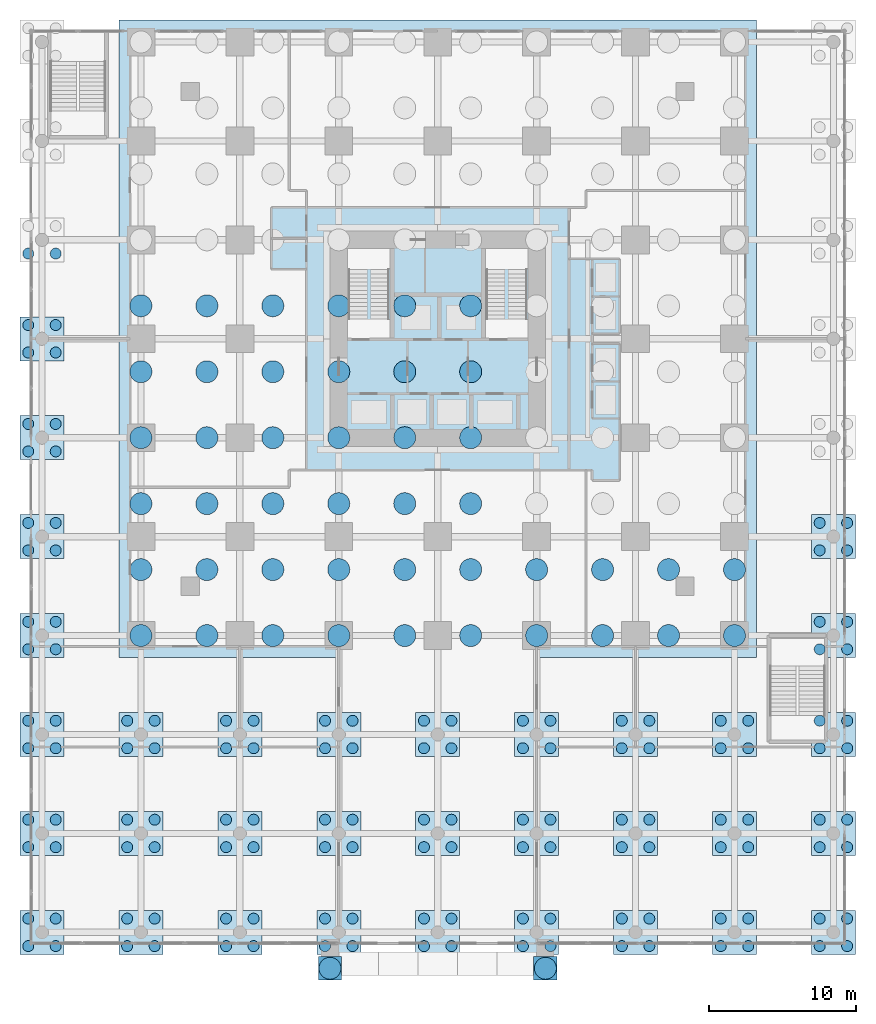
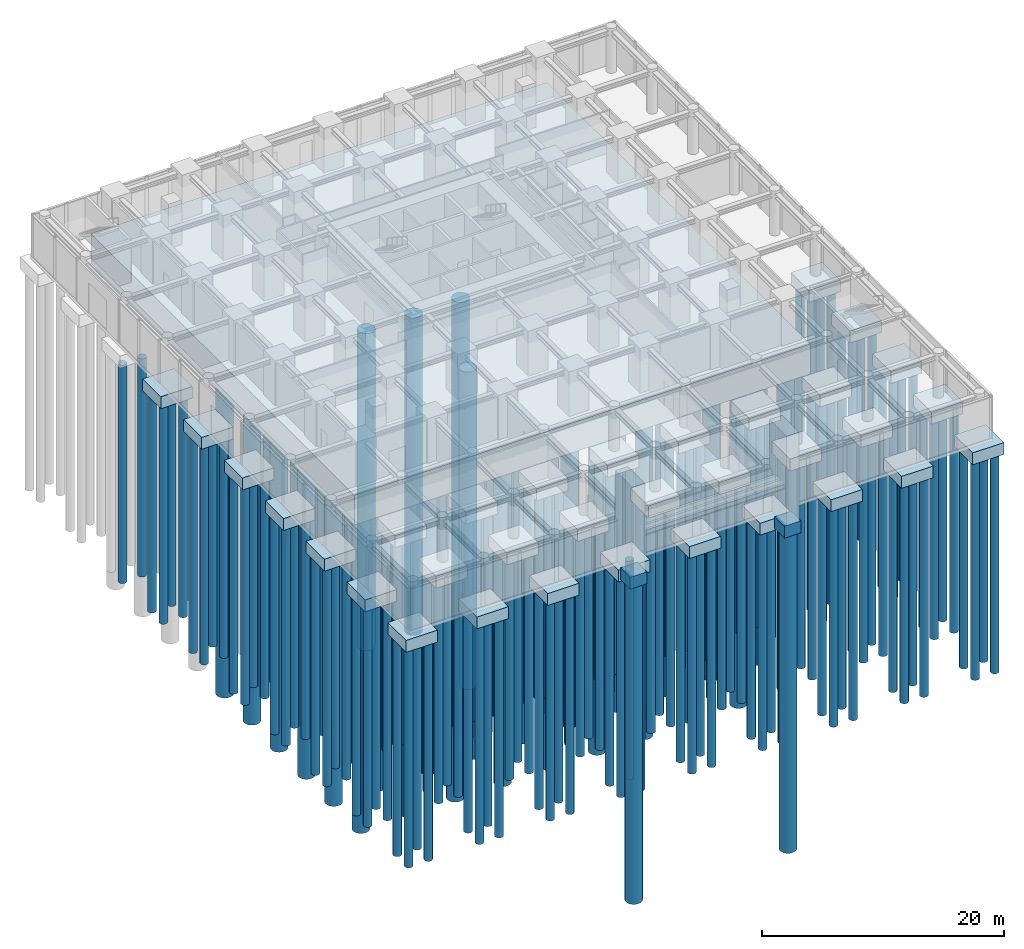
# One storey, part 1 of 14: 180 piles, 36 footings.
"""IFC4 building model written with IfcOpenShell, lengths in metres."""

import ifcopenshell
import ifcopenshell.guid

model = None  # the IFC model being written
_history = None  # IfcOwnerHistory: only IFC2X3 demands one
_inside = {}  # id of a spatial element -> (the spatial element, [elements in it])
_under = {}  # id of a project, library or spatial element -> (it, [spatial elements below it])
_declared = {}  # id of a project -> (the project, [libraries it declares])
_typed = {}  # id of a type object -> (the type object, [elements of that type])
_made_of = {}  # id of a material, layer set ... -> (it, [elements and type objects made of it])


def new_model(schema):
    """Start an empty IFC model of exactly this schema.

    Asked for "IFC4X3", IfcOpenShell would pick the latest addendum, in which some entities
    have other attributes; the version numbers below select the first issue.
    IFC2X3 requires an IfcOwnerHistory on every rooted entity: one is made here for all.
    """
    global model, _history
    if schema == "IFC4X3":
        model = ifcopenshell.file(schema_version=(4, 3, 0, 0))
    else:
        model = ifcopenshell.file(schema=schema)
    _inside.clear()
    _under.clear()
    _declared.clear()
    _typed.clear()
    _made_of.clear()
    _history = None
    if model.schema == "IFC2X3":
        org = make("IfcOrganization", Name="unknown")
        user = make(
            "IfcPersonAndOrganization",
            ThePerson=make("IfcPerson", FamilyName="unknown"),
            TheOrganization=org,
        )
        app = make(
            "IfcApplication",
            ApplicationDeveloper=org,
            Version="unknown",
            ApplicationFullName="unknown",
            ApplicationIdentifier="unknown",
        )
        _history = make(
            "IfcOwnerHistory",
            OwningUser=user,
            OwningApplication=app,
            ChangeAction="ADDED",
            CreationDate=0,
        )
    return model


def make(cls, **values):
    """One entity of the class cls with the attributes given. An attribute that is None is left unset."""
    return model.create_entity(
        cls, **{name: value for name, value in values.items() if value is not None}
    )


def rooted(cls, **values):
    """An entity with a GlobalId (a new one), such as an element, a storey or a relation."""
    return make(cls, GlobalId=ifcopenshell.guid.new(), OwnerHistory=_history, **values)


def si_unit(unit_type, name, prefix=None):
    """IfcSIUnit, for example si_unit("LENGTHUNIT", "METRE", prefix="MILLI")."""
    return make("IfcSIUnit", UnitType=unit_type, Prefix=prefix, Name=name)


def assignment(units):
    """IfcUnitAssignment: the units of a project."""
    return None if units is None else make("IfcUnitAssignment", Units=units)


def point(xyz):
    """IfcCartesianPoint."""
    return None if xyz is None else make("IfcCartesianPoint", Coordinates=xyz)


def direction(xyz):
    """IfcDirection."""
    return None if xyz is None else make("IfcDirection", DirectionRatios=xyz)


def frame(location, z_axis=None, x_axis=None):
    """IfcAxis2Placement3D, a coordinate frame: its origin and axes. An axis left out is left unset."""
    return make(
        "IfcAxis2Placement3D",
        Location=point(location),
        Axis=direction(z_axis),
        RefDirection=direction(x_axis),
    )


def frame_2d(location, x_axis=None):
    """IfcAxis2Placement2D, a coordinate frame in the plane: its origin and x axis."""
    return make(
        "IfcAxis2Placement2D", Location=point(location), RefDirection=direction(x_axis)
    )


def origin():
    """The frame at (0, 0, 0) with its axes left unset."""
    return frame((0.0, 0.0, 0.0))


def origin_2d():
    """The frame at (0, 0) in the plane with its x axis left unset."""
    return frame_2d((0.0, 0.0))


def place(relative_to, where):
    """IfcLocalPlacement: puts the frame where relative to a parent placement (None: the world)."""
    return make(
        "IfcLocalPlacement", PlacementRelTo=relative_to, RelativePlacement=where
    )


def context(
    kind, dimensions, precision=None, world=None, true_north=None, identifier=None
):
    """IfcGeometricRepresentationContext, for example the 3D "Model" context."""
    return make(
        "IfcGeometricRepresentationContext",
        ContextIdentifier=identifier,
        ContextType=kind,
        CoordinateSpaceDimension=dimensions,
        Precision=precision,
        WorldCoordinateSystem=world,
        TrueNorth=true_north,
    )


def subcontext(parent, identifier, kind, view, scale=None):
    """IfcGeometricRepresentationSubContext, for example "Body" below "Model"."""
    return make(
        "IfcGeometricRepresentationSubContext",
        ContextIdentifier=identifier,
        ContextType=kind,
        ParentContext=parent,
        TargetScale=scale,
        TargetView=view,
    )


def project(units=None, contexts=None):
    """IfcProject with its units and contexts."""
    return rooted(
        "IfcProject",
        Name="project",
        RepresentationContexts=contexts,
        UnitsInContext=assignment(units),
    )


def spatial(cls, under=None, at=None, **own):
    """A site, building, storey or space (cls), placed at a placement, below another one or the project."""
    s = rooted(cls, ObjectPlacement=at, **own)
    if under is not None:
        _under.setdefault(under.id(), (under, []))[1].append(s)
    return s


def polyline(points):
    """IfcPolyline through the points."""
    return make("IfcPolyline", Points=[point(p) for p in points])


def profile(cls, at=None, kind="AREA", **sizes):
    """A parametric profile (cls). Its sizes go by their IFC names, for example OverallWidth=200.0."""
    return make(cls, ProfileType=kind, Position=at, **sizes)


def circle(**sizes):
    """IfcCircleProfileDef."""
    return profile("IfcCircleProfileDef", **sizes)


def outline(outer, holes=None, kind="AREA"):
    """IfcArbitraryClosedProfileDef: a profile drawn as a closed curve; with holes, ...WithVoids."""
    if holes is None:
        return make("IfcArbitraryClosedProfileDef", ProfileType=kind, OuterCurve=outer)
    return make(
        "IfcArbitraryProfileDefWithVoids",
        ProfileType=kind,
        OuterCurve=outer,
        InnerCurves=holes,
    )


def extrude(swept, where, along, depth):
    """IfcExtrudedAreaSolid: the profile swept, set in the frame where, extruded along a direction by depth."""
    return make(
        "IfcExtrudedAreaSolid",
        SweptArea=swept,
        Position=where,
        ExtrudedDirection=direction(along),
        Depth=depth,
    )


def shape(context_of_items, identifier, shape_type, items):
    """IfcShapeRepresentation: the items that make up one representation, for example the "Body"."""
    return make(
        "IfcShapeRepresentation",
        ContextOfItems=context_of_items,
        RepresentationIdentifier=identifier,
        RepresentationType=shape_type,
        Items=items,
    )


def material(Name=None, Category=None):
    """IfcMaterial."""
    return make("IfcMaterial", Name=Name, Category=Category)


def layer(
    of_material, thickness, ventilated=None, Name=None, Category=None, Priority=None
):
    """IfcMaterialLayer: one layer of a wall or slab, of a material (None: an air gap)."""
    return make(
        "IfcMaterialLayer",
        Material=of_material,
        LayerThickness=thickness,
        IsVentilated=ventilated,
        Name=Name,
        Category=Category,
        Priority=Priority,
    )


def layer_set(layers, Name=None):
    """IfcMaterialLayerSet."""
    return make("IfcMaterialLayerSet", MaterialLayers=layers, LayerSetName=Name)


def made_of(thing, what):
    """Note that an element or type object is made of a material, layer set ...; save() writes the relation."""
    if what is not None:
        _made_of.setdefault(what.id(), (what, []))[1].append(thing)
    return thing


def type_object(cls, material=None, **own):
    """A type object (cls), such as IfcWallType, which elements share."""
    return made_of(rooted(cls, **own), material)


def element(
    cls,
    number,
    at=None,
    inside=None,
    cuts=None,
    type_object=None,
    material=None,
    context=None,
    identifier="Body",
    shape_type=None,
    held_by="IfcProductDefinitionShape",
    body=None,
    shapes=None,
    **own,
):
    """One element of the class cls, such as IfcWall. Its Tag is "e" and its number.

    at: its placement. inside: the storey or other place that contains it. cuts: it is an
    opening in that element (IfcRelVoidsElement). A single representation is given by context,
    identifier, shape_type and body (its items); several are given by shapes. held_by: the class
    of the entity that holds the representations. save() writes the other relations.
    """
    e = rooted(cls, Tag="e%d" % number, ObjectPlacement=at, **own)
    if body is not None:
        shapes = [shape(context, identifier, shape_type, body)]
    if shapes is not None:
        e.Representation = make(held_by, Representations=shapes)
    if inside is not None:
        _inside.setdefault(inside.id(), (inside, []))[1].append(e)
    if cuts is not None:
        rooted(
            "IfcRelVoidsElement", RelatingBuildingElement=cuts, RelatedOpeningElement=e
        )
    if type_object is not None:
        _typed.setdefault(type_object.id(), (type_object, []))[1].append(e)
    return made_of(e, material)


def aggregate(whole, parts):
    """IfcRelAggregates: a whole, such as a stair, and the parts it consists of."""
    return rooted("IfcRelAggregates", RelatingObject=whole, RelatedObjects=parts)


def save(model, path):
    """Write the relations noted so far, then the file.

    IfcRelAggregates (storeys below a building ...), IfcRelContainedInSpatialStructure (elements
    in a storey), IfcRelDefinesByType, IfcRelAssociatesMaterial and IfcRelDeclares: one each for
    every whole, place, type object, material and project.
    """
    for whole, parts in _under.values():
        aggregate(whole, parts)
    for where, things in _inside.values():
        rooted(
            "IfcRelContainedInSpatialStructure",
            RelatedElements=things,
            RelatingStructure=where,
        )
    for kind, things in _typed.values():
        rooted("IfcRelDefinesByType", RelatedObjects=things, RelatingType=kind)
    for what, things in _made_of.values():
        rooted("IfcRelAssociatesMaterial", RelatedObjects=things, RelatingMaterial=what)
    for by, libraries in _declared.values():
        rooted("IfcRelDeclares", RelatingContext=by, RelatedDefinitions=libraries)
    model.write(path)


model = new_model("IFC4")

# Units and contexts
model_context = context("Model", 3, precision=1e-05, world=origin(), true_north=direction((0.0, 1.0)))
body_context = subcontext(model_context, "Body", "Model", "MODEL_VIEW")
ifc_project = project(units=[si_unit("LENGTHUNIT", "METRE"), si_unit("AREAUNIT", "SQUARE_METRE"), si_unit("VOLUMEUNIT", "CUBIC_METRE"), si_unit("PLANEANGLEUNIT", "RADIAN"), si_unit("MASSUNIT", "GRAM", prefix="KILO")], contexts=[model_context])

# Site, building, storey
site_placement = place(None, origin())
site = spatial("IfcSite", under=ifc_project, at=site_placement, CompositionType="ELEMENT")
building_placement = place(site_placement, origin())
building = spatial("IfcBuilding", under=site, at=building_placement, Name="Nyansa Garden Tower", CompositionType="ELEMENT")
storey_placement = place(building_placement, origin())
storey = spatial("IfcBuildingStorey", under=building, at=storey_placement, Name="L00", CompositionType="ELEMENT", Elevation=0.0)

# Piles
ifc_material_1 = material(Name="Concrete C40/50", Category="concrete")
pile_type_1 = type_object("IfcPileType", Name="Bored pile P1 D1500", PredefinedType="BORED", material=ifc_material_1)
for number, where, z_axis, x_axis, name in (
    (1, (0.0, 0.0, -3.300048828125), (0.0, 0.0, -1.0), (1.0, 0.0, 0.0), "Pile P1-001"),
    (2, (0.0, 4.5, -3.300048828125), (0.0, 0.0, -1.0), (1.0, 0.0, 0.0), "Pile P1-002"),
    (3, (0.0, 9.0, -3.300048828125), (0.0, 0.0, -1.0), (1.0, 0.0, 0.0), "Pile P1-003"),
    (4, (0.0, 13.5, -3.300048828125), (0.0, 0.0, -1.0), (1.0, 0.0, 0.0), "Pile P1-004"),
    (5, (0.0, 18.0, -3.300048828125), (0.0, 0.0, -1.0), (1.0, 0.0, 0.0), "Pile P1-005"),
    (6, (0.0, 22.5, -3.300048828125), (0.0, 0.0, -1.0), (1.0, 0.0, 0.0), "Pile P1-006"),
    (7, (4.5, 0.0, -3.300048828125), (0.0, 0.0, -1.0), (1.0, 0.0, 0.0), "Pile P1-011"),
    (8, (4.5, 4.5, -3.300048828125), (0.0, 0.0, -1.0), (1.0, 0.0, 0.0), "Pile P1-012"),
    (9, (4.5, 9.0, -3.300048828125), (0.0, 0.0, -1.0), (1.0, 0.0, 0.0), "Pile P1-013"),
    (10, (4.5, 13.5, -3.300048828125), (0.0, 0.0, -1.0), (1.0, 0.0, 0.0), "Pile P1-014"),
    (11, (4.5, 18.0, -3.300048828125), (0.0, 0.0, -1.0), (1.0, 0.0, 0.0), "Pile P1-015"),
    (12, (4.5, 22.5, -3.300048828125), (0.0, 0.0, -1.0), (1.0, 0.0, 0.0), "Pile P1-016"),
    (13, (9.0, 0.0, -3.300048828125), (0.0, 0.0, -1.0), (1.0, 0.0, 0.0), "Pile P1-021"),
    (14, (9.0, 4.5, -3.300048828125), (0.0, 0.0, -1.0), (1.0, 0.0, 0.0), "Pile P1-022"),
    (15, (9.0, 9.0, -3.300048828125), (0.0, 0.0, -1.0), (1.0, 0.0, 0.0), "Pile P1-023"),
    (16, (9.0, 13.5, -3.300048828125), (0.0, 0.0, -1.0), (1.0, 0.0, 0.0), "Pile P1-024"),
    (17, (9.0, 18.0, -3.300048828125), (0.0, 0.0, -1.0), (1.0, 0.0, 0.0), "Pile P1-025"),
    (18, (9.0, 22.5, -3.300048828125), (0.0, 0.0, -1.0), (1.0, 0.0, 0.0), "Pile P1-026"),
    (19, (13.5, 0.0, -3.300048828125), (0.0, 0.0, -1.0), (1.0, 0.0, 0.0), "Pile P1-031"),
    (20, (13.5, 4.5, -3.300048828125), (0.0, 0.0, -1.0), (1.0, 0.0, 0.0), "Pile P1-032"),
    (21, (13.5, 9.0, -3.300048828125), (0.0, 0.0, -1.0), (1.0, 0.0, 0.0), "Pile P1-033"),
    (22, (13.5, 13.5, -3.300048828125), (0.0, 0.0, -1.0), (1.0, 0.0, 0.0), "Pile P1-034"),
    (23, (13.5, 18.0, -3.300048828125), (0.0, 0.0, -1.0), (1.0, 0.0, 0.0), "Pile P1-035"),
    (24, (13.5, 22.5, -3.300048828125), (0.0, 0.0, -1.0), (1.0, 0.0, 0.0), "Pile P1-036"),
    (25, (18.0, 0.0, -3.300048828125), (0.0, 0.0, -1.0), (1.0, 0.0, 0.0), "Pile P1-041"),
    (26, (18.0, 4.5, -3.300048828125), (0.0, 0.0, -1.0), (1.0, 0.0, 0.0), "Pile P1-042"),
    (27, (18.0, 9.0, -3.300048828125), (0.0, 0.0, -1.0), (1.0, 0.0, 0.0), "Pile P1-043"),
    (28, (18.0, 13.5, -3.300048828125), (0.0, 0.0, -1.0), (1.0, 0.0, 0.0), "Pile P1-044"),
    (29, (18.0, 18.0, -3.300048828125), (0.0, 0.0, -1.0), (1.0, 0.0, 0.0), "Pile P1-045"),
    (30, (18.0, 22.5, -3.300048828125), (0.0, 0.0, -1.0), (1.0, 0.0, 0.0), "Pile P1-046"),
    (31, (22.5, 0.0, -3.300048828125), (0.0, 0.0, -1.0), (1.0, 0.0, 0.0), "Pile P1-051"),
    (32, (22.5, 4.5, -3.300048828125), (0.0, 0.0, -1.0), (1.0, 0.0, 0.0), "Pile P1-052"),
    (33, (22.5, 9.0, -3.300048828125), (0.0, 0.0, -1.0), (1.0, 0.0, 0.0), "Pile P1-053"),
    (34, (22.5, 13.5, -3.300048828125), (0.0, 0.0, -1.0), (1.0, 0.0, 0.0), "Pile P1-054"),
    (35, (22.5, 18.0, -3.300048828125), (0.0, 0.0, -1.0), (1.0, 0.0, 0.0), "Pile P1-055"),
    (36, (22.5, 22.5, -3.300048828125), (0.0, 0.0, -1.0), (1.0, 0.0, 0.0), "Pile P1-056"),
    (37, (27.0, 0.0, -3.300048828125), (0.0, 0.0, -1.0), (1.0, 0.0, 0.0), "Pile P1-061"),
    (38, (27.0, 4.5, -3.300048828125), (0.0, 0.0, -1.0), (1.0, 0.0, 0.0), "Pile P1-062"),
    (39, (31.5, 0.0, -3.300048828125), (0.0, 0.0, -1.0), (1.0, 0.0, 0.0), "Pile P1-071"),
    (40, (31.5, 4.5, -3.300048828125), (0.0, 0.0, -1.0), (1.0, 0.0, 0.0), "Pile P1-072"),
    (41, (36.0, 0.0, -3.300048828125), (0.0, 0.0, -1.0), (1.0, 0.0, 0.0), "Pile P1-081"),
    (42, (36.0, 4.5, -3.300048828125), (0.0, 0.0, -1.0), (1.0, 0.0, 0.0), "Pile P1-082"),
    (43, (40.5, 0.0, -3.300048828125), (0.0, 0.0, -1.0), (1.0, 0.0, 0.0), "Pile P1-091"),
    (44, (40.5, 4.5, -3.300048828125), (0.0, 0.0, -1.0), (1.0, 0.0, 0.0), "Pile P1-092"),
    (45, (12.89990234375, -22.699951171875, -1.199951171875), (0.0, 0.0, -1.0), (1.0, 0.0, 0.0), "Pile P1 portal pier 1"),
    (46, (27.60009765625, -22.699951171875, -1.199951171875), (0.0, 0.0, -1.0), (1.0, 0.0, 0.0), "Pile P1 portal pier 2"),
):
    element("IfcPile", number, at=place(storey_placement, frame(where, z_axis=z_axis, x_axis=x_axis)), inside=storey, type_object=pile_type_1, Name=name, PredefinedType="BORED", context=body_context, shape_type="SweptSolid", body=[
        extrude(circle(Radius=0.75, at=origin_2d()), origin(), (0.0, 0.0, 1.0), 32.0),
    ])
ifc_material_2 = material(Name="Concrete C40/50", Category="concrete")
pile_type_2 = type_object("IfcPileType", Name="Bored pile P2 D750", PredefinedType="BORED", material=ifc_material_2)
for number, where, z_axis, x_axis, name in (
    (47, (-7.6875, -21.1875, -1.5), (0.0, 0.0, -1.0), (1.0, 0.0, 0.0), "Pile P2-01A"),
    (48, (-5.8125, -21.1875, -1.5), (0.0, 0.0, -1.0), (1.0, 0.0, 0.0), "Pile P2-01B"),
    (49, (-5.8125, -19.3125, -1.5), (0.0, 0.0, -1.0), (1.0, 0.0, 0.0), "Pile P2-01C"),
    (50, (-7.6875, -19.3125, -1.5), (0.0, 0.0, -1.0), (1.0, 0.0, 0.0), "Pile P2-01D"),
    (51, (-7.6875, -14.4375, -1.5), (0.0, 0.0, -1.0), (1.0, 0.0, 0.0), "Pile P2-02A"),
    (52, (-5.8125, -14.4375, -1.5), (0.0, 0.0, -1.0), (1.0, 0.0, 0.0), "Pile P2-02B"),
    (53, (-5.8125, -12.5625, -1.5), (0.0, 0.0, -1.0), (1.0, 0.0, 0.0), "Pile P2-02C"),
    (54, (-7.6875, -12.5625, -1.5), (0.0, 0.0, -1.0), (1.0, 0.0, 0.0), "Pile P2-02D"),
    (55, (-7.6875, -7.6875, -1.5), (0.0, 0.0, -1.0), (1.0, 0.0, 0.0), "Pile P2-03A"),
    (56, (-5.8125, -7.6875, -1.5), (0.0, 0.0, -1.0), (1.0, 0.0, 0.0), "Pile P2-03B"),
    (57, (-5.8125, -5.8125, -1.5), (0.0, 0.0, -1.0), (1.0, 0.0, 0.0), "Pile P2-03C"),
    (58, (-7.6875, -5.8125, -1.5), (0.0, 0.0, -1.0), (1.0, 0.0, 0.0), "Pile P2-03D"),
    (59, (-7.6875, -0.9375, -1.5), (0.0, 0.0, -1.0), (1.0, 0.0, 0.0), "Pile P2-04A"),
    (60, (-5.8125, -0.9375, -1.5), (0.0, 0.0, -1.0), (1.0, 0.0, 0.0), "Pile P2-04B"),
    (61, (-5.8125, 0.9375, -1.5), (0.0, 0.0, -1.0), (1.0, 0.0, 0.0), "Pile P2-04C"),
    (62, (-7.6875, 0.9375, -1.5), (0.0, 0.0, -1.0), (1.0, 0.0, 0.0), "Pile P2-04D"),
    (63, (-7.6875, 5.8125, -1.5), (0.0, 0.0, -1.0), (1.0, 0.0, 0.0), "Pile P2-05A"),
    (64, (-5.8125, 5.8125, -1.5), (0.0, 0.0, -1.0), (1.0, 0.0, 0.0), "Pile P2-05B"),
    (65, (-5.8125, 7.6875, -1.5), (0.0, 0.0, -1.0), (1.0, 0.0, 0.0), "Pile P2-05C"),
    (66, (-7.6875, 7.6875, -1.5), (0.0, 0.0, -1.0), (1.0, 0.0, 0.0), "Pile P2-05D"),
    (67, (-7.6875, 12.5625, -1.5), (0.0, 0.0, -1.0), (1.0, 0.0, 0.0), "Pile P2-06A"),
    (68, (-5.8125, 12.5625, -1.5), (0.0, 0.0, -1.0), (1.0, 0.0, 0.0), "Pile P2-06B"),
    (69, (-5.8125, 14.4375, -1.5), (0.0, 0.0, -1.0), (1.0, 0.0, 0.0), "Pile P2-06C"),
    (70, (-7.6875, 14.4375, -1.5), (0.0, 0.0, -1.0), (1.0, 0.0, 0.0), "Pile P2-06D"),
    (71, (-7.6875, 19.3125, -1.5), (0.0, 0.0, -1.0), (1.0, 0.0, 0.0), "Pile P2-07A"),
    (72, (-5.8125, 19.3125, -1.5), (0.0, 0.0, -1.0), (1.0, 0.0, 0.0), "Pile P2-07B"),
    (73, (-5.8125, 21.1875, -1.5), (0.0, 0.0, -1.0), (1.0, 0.0, 0.0), "Pile P2-07C"),
    (74, (-7.6875, 21.1875, -1.5), (0.0, 0.0, -1.0), (1.0, 0.0, 0.0), "Pile P2-07D"),
    (75, (-7.6875, 26.0625, -1.5), (0.0, 0.0, -1.0), (1.0, 0.0, 0.0), "Pile P2-08A"),
    (76, (-5.8125, 26.0625, -1.5), (0.0, 0.0, -1.0), (1.0, 0.0, 0.0), "Pile P2-08B"),
    (77, (-0.9375, -21.1875, -1.5), (0.0, 0.0, -1.0), (1.0, 0.0, 0.0), "Pile P2-11A"),
    (78, (0.9375, -21.1875, -1.5), (0.0, 0.0, -1.0), (1.0, 0.0, 0.0), "Pile P2-11B"),
    (79, (0.9375, -19.3125, -1.5), (0.0, 0.0, -1.0), (1.0, 0.0, 0.0), "Pile P2-11C"),
    (80, (-0.9375, -19.3125, -1.5), (0.0, 0.0, -1.0), (1.0, 0.0, 0.0), "Pile P2-11D"),
    (81, (-0.9375, -14.4375, -1.5), (0.0, 0.0, -1.0), (1.0, 0.0, 0.0), "Pile P2-12A"),
    (82, (0.9375, -14.4375, -1.5), (0.0, 0.0, -1.0), (1.0, 0.0, 0.0), "Pile P2-12B"),
    (83, (0.9375, -12.5625, -1.5), (0.0, 0.0, -1.0), (1.0, 0.0, 0.0), "Pile P2-12C"),
    (84, (-0.9375, -12.5625, -1.5), (0.0, 0.0, -1.0), (1.0, 0.0, 0.0), "Pile P2-12D"),
    (85, (-0.9375, -7.6875, -1.5), (0.0, 0.0, -1.0), (1.0, 0.0, 0.0), "Pile P2-13A"),
    (86, (0.9375, -7.6875, -1.5), (0.0, 0.0, -1.0), (1.0, 0.0, 0.0), "Pile P2-13B"),
    (87, (0.9375, -5.8125, -1.5), (0.0, 0.0, -1.0), (1.0, 0.0, 0.0), "Pile P2-13C"),
    (88, (-0.9375, -5.8125, -1.5), (0.0, 0.0, -1.0), (1.0, 0.0, 0.0), "Pile P2-13D"),
    (89, (5.8125, -21.1875, -1.5), (0.0, 0.0, -1.0), (1.0, 0.0, 0.0), "Pile P2-14A"),
    (90, (7.6875, -21.1875, -1.5), (0.0, 0.0, -1.0), (1.0, 0.0, 0.0), "Pile P2-14B"),
    (91, (7.6875, -19.3125, -1.5), (0.0, 0.0, -1.0), (1.0, 0.0, 0.0), "Pile P2-14C"),
    (92, (5.8125, -19.3125, -1.5), (0.0, 0.0, -1.0), (1.0, 0.0, 0.0), "Pile P2-14D"),
    (93, (5.8125, -14.4375, -1.5), (0.0, 0.0, -1.0), (1.0, 0.0, 0.0), "Pile P2-15A"),
    (94, (7.6875, -14.4375, -1.5), (0.0, 0.0, -1.0), (1.0, 0.0, 0.0), "Pile P2-15B"),
    (95, (7.6875, -12.5625, -1.5), (0.0, 0.0, -1.0), (1.0, 0.0, 0.0), "Pile P2-15C"),
    (96, (5.8125, -12.5625, -1.5), (0.0, 0.0, -1.0), (1.0, 0.0, 0.0), "Pile P2-15D"),
    (97, (5.8125, -7.6875, -1.5), (0.0, 0.0, -1.0), (1.0, 0.0, 0.0), "Pile P2-16A"),
    (98, (7.6875, -7.6875, -1.5), (0.0, 0.0, -1.0), (1.0, 0.0, 0.0), "Pile P2-16B"),
    (99, (7.6875, -5.8125, -1.5), (0.0, 0.0, -1.0), (1.0, 0.0, 0.0), "Pile P2-16C"),
    (100, (5.8125, -5.8125, -1.5), (0.0, 0.0, -1.0), (1.0, 0.0, 0.0), "Pile P2-16D"),
    (101, (12.5625, -21.1875, -1.5), (0.0, 0.0, -1.0), (1.0, 0.0, 0.0), "Pile P2-17A"),
    (102, (14.4375, -21.1875, -1.5), (0.0, 0.0, -1.0), (1.0, 0.0, 0.0), "Pile P2-17B"),
    (103, (14.4375, -19.3125, -1.5), (0.0, 0.0, -1.0), (1.0, 0.0, 0.0), "Pile P2-17C"),
    (104, (12.5625, -19.3125, -1.5), (0.0, 0.0, -1.0), (1.0, 0.0, 0.0), "Pile P2-17D"),
    (105, (12.5625, -14.4375, -1.5), (0.0, 0.0, -1.0), (1.0, 0.0, 0.0), "Pile P2-18A"),
    (106, (14.4375, -14.4375, -1.5), (0.0, 0.0, -1.0), (1.0, 0.0, 0.0), "Pile P2-18B"),
    (107, (14.4375, -12.5625, -1.5), (0.0, 0.0, -1.0), (1.0, 0.0, 0.0), "Pile P2-18C"),
    (108, (12.5625, -12.5625, -1.5), (0.0, 0.0, -1.0), (1.0, 0.0, 0.0), "Pile P2-18D"),
    (109, (12.5625, -7.6875, -1.5), (0.0, 0.0, -1.0), (1.0, 0.0, 0.0), "Pile P2-19A"),
    (110, (14.4375, -7.6875, -1.5), (0.0, 0.0, -1.0), (1.0, 0.0, 0.0), "Pile P2-19B"),
    (111, (14.4375, -5.8125, -1.5), (0.0, 0.0, -1.0), (1.0, 0.0, 0.0), "Pile P2-19C"),
    (112, (12.5625, -5.8125, -1.5), (0.0, 0.0, -1.0), (1.0, 0.0, 0.0), "Pile P2-19D"),
    (113, (19.3125, -21.1875, -1.5), (0.0, 0.0, -1.0), (1.0, 0.0, 0.0), "Pile P2-20A"),
    (114, (21.1875, -21.1875, -1.5), (0.0, 0.0, -1.0), (1.0, 0.0, 0.0), "Pile P2-20B"),
    (115, (21.1875, -19.3125, -1.5), (0.0, 0.0, -1.0), (1.0, 0.0, 0.0), "Pile P2-20C"),
    (116, (19.3125, -19.3125, -1.5), (0.0, 0.0, -1.0), (1.0, 0.0, 0.0), "Pile P2-20D"),
    (117, (19.3125, -14.4375, -1.5), (0.0, 0.0, -1.0), (1.0, 0.0, 0.0), "Pile P2-21A"),
    (118, (21.1875, -14.4375, -1.5), (0.0, 0.0, -1.0), (1.0, 0.0, 0.0), "Pile P2-21B"),
    (119, (21.1875, -12.5625, -1.5), (0.0, 0.0, -1.0), (1.0, 0.0, 0.0), "Pile P2-21C"),
    (120, (19.3125, -12.5625, -1.5), (0.0, 0.0, -1.0), (1.0, 0.0, 0.0), "Pile P2-21D"),
    (121, (19.3125, -7.6875, -1.5), (0.0, 0.0, -1.0), (1.0, 0.0, 0.0), "Pile P2-22A"),
    (122, (21.1875, -7.6875, -1.5), (0.0, 0.0, -1.0), (1.0, 0.0, 0.0), "Pile P2-22B"),
    (123, (21.1875, -5.8125, -1.5), (0.0, 0.0, -1.0), (1.0, 0.0, 0.0), "Pile P2-22C"),
    (124, (19.3125, -5.8125, -1.5), (0.0, 0.0, -1.0), (1.0, 0.0, 0.0), "Pile P2-22D"),
    (125, (26.0625, -21.1875, -1.5), (0.0, 0.0, -1.0), (1.0, 0.0, 0.0), "Pile P2-23A"),
    (126, (27.9375, -21.1875, -1.5), (0.0, 0.0, -1.0), (1.0, 0.0, 0.0), "Pile P2-23B"),
    (127, (27.9375, -19.3125, -1.5), (0.0, 0.0, -1.0), (1.0, 0.0, 0.0), "Pile P2-23C"),
    (128, (26.0625, -19.3125, -1.5), (0.0, 0.0, -1.0), (1.0, 0.0, 0.0), "Pile P2-23D"),
    (129, (26.0625, -14.4375, -1.5), (0.0, 0.0, -1.0), (1.0, 0.0, 0.0), "Pile P2-24A"),
    (130, (27.9375, -14.4375, -1.5), (0.0, 0.0, -1.0), (1.0, 0.0, 0.0), "Pile P2-24B"),
    (131, (27.9375, -12.5625, -1.5), (0.0, 0.0, -1.0), (1.0, 0.0, 0.0), "Pile P2-24C"),
    (132, (26.0625, -12.5625, -1.5), (0.0, 0.0, -1.0), (1.0, 0.0, 0.0), "Pile P2-24D"),
    (133, (26.0625, -7.6875, -1.5), (0.0, 0.0, -1.0), (1.0, 0.0, 0.0), "Pile P2-25A"),
    (134, (27.9375, -7.6875, -1.5), (0.0, 0.0, -1.0), (1.0, 0.0, 0.0), "Pile P2-25B"),
    (135, (27.9375, -5.8125, -1.5), (0.0, 0.0, -1.0), (1.0, 0.0, 0.0), "Pile P2-25C"),
    (136, (26.0625, -5.8125, -1.5), (0.0, 0.0, -1.0), (1.0, 0.0, 0.0), "Pile P2-25D"),
    (137, (32.8125, -21.1875, -1.5), (0.0, 0.0, -1.0), (1.0, 0.0, 0.0), "Pile P2-26A"),
    (138, (34.6875, -21.1875, -1.5), (0.0, 0.0, -1.0), (1.0, 0.0, 0.0), "Pile P2-26B"),
    (139, (34.6875, -19.3125, -1.5), (0.0, 0.0, -1.0), (1.0, 0.0, 0.0), "Pile P2-26C"),
    (140, (32.8125, -19.3125, -1.5), (0.0, 0.0, -1.0), (1.0, 0.0, 0.0), "Pile P2-26D"),
    (141, (32.8125, -14.4375, -1.5), (0.0, 0.0, -1.0), (1.0, 0.0, 0.0), "Pile P2-27A"),
    (142, (34.6875, -14.4375, -1.5), (0.0, 0.0, -1.0), (1.0, 0.0, 0.0), "Pile P2-27B"),
    (143, (34.6875, -12.5625, -1.5), (0.0, 0.0, -1.0), (1.0, 0.0, 0.0), "Pile P2-27C"),
    (144, (32.8125, -12.5625, -1.5), (0.0, 0.0, -1.0), (1.0, 0.0, 0.0), "Pile P2-27D"),
    (145, (32.8125, -7.6875, -1.5), (0.0, 0.0, -1.0), (1.0, 0.0, 0.0), "Pile P2-28A"),
    (146, (34.6875, -7.6875, -1.5), (0.0, 0.0, -1.0), (1.0, 0.0, 0.0), "Pile P2-28B"),
    (147, (34.6875, -5.8125, -1.5), (0.0, 0.0, -1.0), (1.0, 0.0, 0.0), "Pile P2-28C"),
    (148, (32.8125, -5.8125, -1.5), (0.0, 0.0, -1.0), (1.0, 0.0, 0.0), "Pile P2-28D"),
    (149, (39.5625, -21.1875, -1.5), (0.0, 0.0, -1.0), (1.0, 0.0, 0.0), "Pile P2-29A"),
    (150, (41.4375, -21.1875, -1.5), (0.0, 0.0, -1.0), (1.0, 0.0, 0.0), "Pile P2-29B"),
    (151, (41.4375, -19.3125, -1.5), (0.0, 0.0, -1.0), (1.0, 0.0, 0.0), "Pile P2-29C"),
    (152, (39.5625, -19.3125, -1.5), (0.0, 0.0, -1.0), (1.0, 0.0, 0.0), "Pile P2-29D"),
    (153, (39.5625, -14.4375, -1.5), (0.0, 0.0, -1.0), (1.0, 0.0, 0.0), "Pile P2-30A"),
    (154, (41.4375, -14.4375, -1.5), (0.0, 0.0, -1.0), (1.0, 0.0, 0.0), "Pile P2-30B"),
    (155, (41.4375, -12.5625, -1.5), (0.0, 0.0, -1.0), (1.0, 0.0, 0.0), "Pile P2-30C"),
    (156, (39.5625, -12.5625, -1.5), (0.0, 0.0, -1.0), (1.0, 0.0, 0.0), "Pile P2-30D"),
    (157, (39.5625, -7.6875, -1.5), (0.0, 0.0, -1.0), (1.0, 0.0, 0.0), "Pile P2-31A"),
    (158, (41.4375, -7.6875, -1.5), (0.0, 0.0, -1.0), (1.0, 0.0, 0.0), "Pile P2-31B"),
    (159, (41.4375, -5.8125, -1.5), (0.0, 0.0, -1.0), (1.0, 0.0, 0.0), "Pile P2-31C"),
    (160, (39.5625, -5.8125, -1.5), (0.0, 0.0, -1.0), (1.0, 0.0, 0.0), "Pile P2-31D"),
    (161, (46.3125, -21.1875, -1.5), (0.0, 0.0, -1.0), (1.0, 0.0, 0.0), "Pile P2-32A"),
    (162, (48.1875, -21.1875, -1.5), (0.0, 0.0, -1.0), (1.0, 0.0, 0.0), "Pile P2-32B"),
    (163, (48.1875, -19.3125, -1.5), (0.0, 0.0, -1.0), (1.0, 0.0, 0.0), "Pile P2-32C"),
    (164, (46.3125, -19.3125, -1.5), (0.0, 0.0, -1.0), (1.0, 0.0, 0.0), "Pile P2-32D"),
    (165, (46.3125, -14.4375, -1.5), (0.0, 0.0, -1.0), (1.0, 0.0, 0.0), "Pile P2-33A"),
    (166, (48.1875, -14.4375, -1.5), (0.0, 0.0, -1.0), (1.0, 0.0, 0.0), "Pile P2-33B"),
    (167, (48.1875, -12.5625, -1.5), (0.0, 0.0, -1.0), (1.0, 0.0, 0.0), "Pile P2-33C"),
    (168, (46.3125, -12.5625, -1.5), (0.0, 0.0, -1.0), (1.0, 0.0, 0.0), "Pile P2-33D"),
    (169, (46.3125, -7.6875, -1.5), (0.0, 0.0, -1.0), (1.0, 0.0, 0.0), "Pile P2-34A"),
    (170, (48.1875, -7.6875, -1.5), (0.0, 0.0, -1.0), (1.0, 0.0, 0.0), "Pile P2-34B"),
    (171, (48.1875, -5.8125, -1.5), (0.0, 0.0, -1.0), (1.0, 0.0, 0.0), "Pile P2-34C"),
    (172, (46.3125, -5.8125, -1.5), (0.0, 0.0, -1.0), (1.0, 0.0, 0.0), "Pile P2-34D"),
    (173, (46.3125, -0.9375, -1.5), (0.0, 0.0, -1.0), (1.0, 0.0, 0.0), "Pile P2-35A"),
    (174, (48.1875, -0.9375, -1.5), (0.0, 0.0, -1.0), (1.0, 0.0, 0.0), "Pile P2-35B"),
    (175, (48.1875, 0.9375, -1.5), (0.0, 0.0, -1.0), (1.0, 0.0, 0.0), "Pile P2-35C"),
    (176, (46.3125, 0.9375, -1.5), (0.0, 0.0, -1.0), (1.0, 0.0, 0.0), "Pile P2-35D"),
    (177, (46.3125, 5.8125, -1.5), (0.0, 0.0, -1.0), (1.0, 0.0, 0.0), "Pile P2-36A"),
    (178, (48.1875, 5.8125, -1.5), (0.0, 0.0, -1.0), (1.0, 0.0, 0.0), "Pile P2-36B"),
    (179, (48.1875, 7.6875, -1.5), (0.0, 0.0, -1.0), (1.0, 0.0, 0.0), "Pile P2-36C"),
    (180, (46.3125, 7.6875, -1.5), (0.0, 0.0, -1.0), (1.0, 0.0, 0.0), "Pile P2-36D"),
):
    element("IfcPile", number, at=place(storey_placement, frame(where, z_axis=z_axis, x_axis=x_axis)), inside=storey, type_object=pile_type_2, Name=name, PredefinedType="BORED", context=body_context, shape_type="SweptSolid", body=[
        extrude(circle(Radius=0.375, at=origin_2d()), origin(), (0.0, 0.0, 1.0), 22.0),
    ])

# Footings
ifc_material_3 = material(Name="Concrete C40/50", Category="concrete")
ifc_layer_1 = layer(ifc_material_3, 1.199951171875)
ifc_layer_set_1 = layer_set([ifc_layer_1], Name="Pile cap PC1")
footing_type_1 = type_object("IfcFootingType", Name="Pile cap PC1", PredefinedType="PILE_CAP", material=ifc_layer_set_1)
footing_1_placement = place(storey_placement, frame((0.0, 0.0, -1.5)))
element("IfcFooting", 181, at=footing_1_placement, inside=storey, type_object=footing_type_1, Name="Pile cap PC1-01", PredefinedType="PILE_CAP", context=body_context, shape_type="SweptSolid", body=[
    extrude(outline(polyline([(-8.25, -21.75), (-5.25, -21.75), (-5.25, -18.75), (-8.25, -18.75), (-8.25, -21.75)])), origin(), (0.0, 0.0, 1.0), 1.199951171875),
])
footing_2_placement = place(storey_placement, frame((0.0, 0.0, -1.5)))
element("IfcFooting", 182, at=footing_2_placement, inside=storey, type_object=footing_type_1, Name="Pile cap PC1-02", PredefinedType="PILE_CAP", context=body_context, shape_type="SweptSolid", body=[
    extrude(outline(polyline([(-8.25, -15.0), (-5.25, -15.0), (-5.25, -12.0), (-8.25, -12.0), (-8.25, -15.0)])), origin(), (0.0, 0.0, 1.0), 1.199951171875),
])
footing_3_placement = place(storey_placement, frame((0.0, 0.0, -1.5)))
element("IfcFooting", 183, at=footing_3_placement, inside=storey, type_object=footing_type_1, Name="Pile cap PC1-03", PredefinedType="PILE_CAP", context=body_context, shape_type="SweptSolid", body=[
    extrude(outline(polyline([(-8.25, -8.25), (-5.25, -8.25), (-5.25, -5.25), (-8.25, -5.25), (-8.25, -8.25)])), origin(), (0.0, 0.0, 1.0), 1.199951171875),
])
footing_4_placement = place(storey_placement, frame((0.0, 0.0, -1.5)))
element("IfcFooting", 184, at=footing_4_placement, inside=storey, type_object=footing_type_1, Name="Pile cap PC1-04", PredefinedType="PILE_CAP", context=body_context, shape_type="SweptSolid", body=[
    extrude(outline(polyline([(-8.25, -1.5), (-5.25, -1.5), (-5.25, 1.5), (-8.25, 1.5), (-8.25, -1.5)])), origin(), (0.0, 0.0, 1.0), 1.199951171875),
])
footing_5_placement = place(storey_placement, frame((0.0, 0.0, -1.5)))
element("IfcFooting", 185, at=footing_5_placement, inside=storey, type_object=footing_type_1, Name="Pile cap PC1-05", PredefinedType="PILE_CAP", context=body_context, shape_type="SweptSolid", body=[
    extrude(outline(polyline([(-8.25, 5.25), (-5.25, 5.25), (-5.25, 8.25), (-8.25, 8.25), (-8.25, 5.25)])), origin(), (0.0, 0.0, 1.0), 1.199951171875),
])
footing_6_placement = place(storey_placement, frame((0.0, 0.0, -1.5)))
element("IfcFooting", 186, at=footing_6_placement, inside=storey, type_object=footing_type_1, Name="Pile cap PC1-06", PredefinedType="PILE_CAP", context=body_context, shape_type="SweptSolid", body=[
    extrude(outline(polyline([(-8.25, 12.0), (-5.25, 12.0), (-5.25, 15.0), (-8.25, 15.0), (-8.25, 12.0)])), origin(), (0.0, 0.0, 1.0), 1.199951171875),
])
footing_7_placement = place(storey_placement, frame((0.0, 0.0, -1.5)))
element("IfcFooting", 187, at=footing_7_placement, inside=storey, type_object=footing_type_1, Name="Pile cap PC1-07", PredefinedType="PILE_CAP", context=body_context, shape_type="SweptSolid", body=[
    extrude(outline(polyline([(-8.25, 18.75), (-5.25, 18.75), (-5.25, 21.75), (-8.25, 21.75), (-8.25, 18.75)])), origin(), (0.0, 0.0, 1.0), 1.199951171875),
])
footing_8_placement = place(storey_placement, frame((0.0, 0.0, -1.5)))
element("IfcFooting", 188, at=footing_8_placement, inside=storey, type_object=footing_type_1, Name="Pile cap PC1-11", PredefinedType="PILE_CAP", context=body_context, shape_type="SweptSolid", body=[
    extrude(outline(polyline([(-1.5, -21.75), (1.5, -21.75), (1.5, -18.75), (-1.5, -18.75), (-1.5, -21.75)])), origin(), (0.0, 0.0, 1.0), 1.199951171875),
])
footing_9_placement = place(storey_placement, frame((0.0, 0.0, -1.5)))
element("IfcFooting", 189, at=footing_9_placement, inside=storey, type_object=footing_type_1, Name="Pile cap PC1-12", PredefinedType="PILE_CAP", context=body_context, shape_type="SweptSolid", body=[
    extrude(outline(polyline([(-1.5, -15.0), (1.5, -15.0), (1.5, -12.0), (-1.5, -12.0), (-1.5, -15.0)])), origin(), (0.0, 0.0, 1.0), 1.199951171875),
])
footing_10_placement = place(storey_placement, frame((0.0, 0.0, -1.5)))
element("IfcFooting", 190, at=footing_10_placement, inside=storey, type_object=footing_type_1, Name="Pile cap PC1-13", PredefinedType="PILE_CAP", context=body_context, shape_type="SweptSolid", body=[
    extrude(outline(polyline([(-1.5, -8.25), (1.5, -8.25), (1.5, -5.25), (-1.5, -5.25), (-1.5, -8.25)])), origin(), (0.0, 0.0, 1.0), 1.199951171875),
])
footing_11_placement = place(storey_placement, frame((0.0, 0.0, -1.5)))
element("IfcFooting", 191, at=footing_11_placement, inside=storey, type_object=footing_type_1, Name="Pile cap PC1-14", PredefinedType="PILE_CAP", context=body_context, shape_type="SweptSolid", body=[
    extrude(outline(polyline([(5.25, -21.75), (8.25, -21.75), (8.25, -18.75), (5.25, -18.75), (5.25, -21.75)])), origin(), (0.0, 0.0, 1.0), 1.199951171875),
])
footing_12_placement = place(storey_placement, frame((0.0, 0.0, -1.5)))
element("IfcFooting", 192, at=footing_12_placement, inside=storey, type_object=footing_type_1, Name="Pile cap PC1-15", PredefinedType="PILE_CAP", context=body_context, shape_type="SweptSolid", body=[
    extrude(outline(polyline([(5.25, -15.0), (8.25, -15.0), (8.25, -12.0), (5.25, -12.0), (5.25, -15.0)])), origin(), (0.0, 0.0, 1.0), 1.199951171875),
])
footing_13_placement = place(storey_placement, frame((0.0, 0.0, -1.5)))
element("IfcFooting", 193, at=footing_13_placement, inside=storey, type_object=footing_type_1, Name="Pile cap PC1-16", PredefinedType="PILE_CAP", context=body_context, shape_type="SweptSolid", body=[
    extrude(outline(polyline([(5.25, -8.25), (8.25, -8.25), (8.25, -5.25), (5.25, -5.25), (5.25, -8.25)])), origin(), (0.0, 0.0, 1.0), 1.199951171875),
])
footing_14_placement = place(storey_placement, frame((0.0, 0.0, -1.5)))
element("IfcFooting", 194, at=footing_14_placement, inside=storey, type_object=footing_type_1, Name="Pile cap PC1-17", PredefinedType="PILE_CAP", context=body_context, shape_type="SweptSolid", body=[
    extrude(outline(polyline([(12.0, -21.75), (15.0, -21.75), (15.0, -18.75), (12.0, -18.75), (12.0, -21.75)])), origin(), (0.0, 0.0, 1.0), 1.199951171875),
])
footing_15_placement = place(storey_placement, frame((0.0, 0.0, -1.5)))
element("IfcFooting", 195, at=footing_15_placement, inside=storey, type_object=footing_type_1, Name="Pile cap PC1-18", PredefinedType="PILE_CAP", context=body_context, shape_type="SweptSolid", body=[
    extrude(outline(polyline([(12.0, -15.0), (15.0, -15.0), (15.0, -12.0), (12.0, -12.0), (12.0, -15.0)])), origin(), (0.0, 0.0, 1.0), 1.199951171875),
])
footing_16_placement = place(storey_placement, frame((0.0, 0.0, -1.5)))
element("IfcFooting", 196, at=footing_16_placement, inside=storey, type_object=footing_type_1, Name="Pile cap PC1-19", PredefinedType="PILE_CAP", context=body_context, shape_type="SweptSolid", body=[
    extrude(outline(polyline([(12.0, -8.25), (15.0, -8.25), (15.0, -5.25), (12.0, -5.25), (12.0, -8.25)])), origin(), (0.0, 0.0, 1.0), 1.199951171875),
])
footing_17_placement = place(storey_placement, frame((0.0, 0.0, -1.5)))
element("IfcFooting", 197, at=footing_17_placement, inside=storey, type_object=footing_type_1, Name="Pile cap PC1-20", PredefinedType="PILE_CAP", context=body_context, shape_type="SweptSolid", body=[
    extrude(outline(polyline([(18.75, -21.75), (21.75, -21.75), (21.75, -18.75), (18.75, -18.75), (18.75, -21.75)])), origin(), (0.0, 0.0, 1.0), 1.199951171875),
])
footing_18_placement = place(storey_placement, frame((0.0, 0.0, -1.5)))
element("IfcFooting", 198, at=footing_18_placement, inside=storey, type_object=footing_type_1, Name="Pile cap PC1-21", PredefinedType="PILE_CAP", context=body_context, shape_type="SweptSolid", body=[
    extrude(outline(polyline([(18.75, -15.0), (21.75, -15.0), (21.75, -12.0), (18.75, -12.0), (18.75, -15.0)])), origin(), (0.0, 0.0, 1.0), 1.199951171875),
])
footing_19_placement = place(storey_placement, frame((0.0, 0.0, -1.5)))
element("IfcFooting", 199, at=footing_19_placement, inside=storey, type_object=footing_type_1, Name="Pile cap PC1-22", PredefinedType="PILE_CAP", context=body_context, shape_type="SweptSolid", body=[
    extrude(outline(polyline([(18.75, -8.25), (21.75, -8.25), (21.75, -5.25), (18.75, -5.25), (18.75, -8.25)])), origin(), (0.0, 0.0, 1.0), 1.199951171875),
])
footing_20_placement = place(storey_placement, frame((0.0, 0.0, -1.5)))
element("IfcFooting", 200, at=footing_20_placement, inside=storey, type_object=footing_type_1, Name="Pile cap PC1-23", PredefinedType="PILE_CAP", context=body_context, shape_type="SweptSolid", body=[
    extrude(outline(polyline([(25.5, -21.75), (28.5, -21.75), (28.5, -18.75), (25.5, -18.75), (25.5, -21.75)])), origin(), (0.0, 0.0, 1.0), 1.199951171875),
])
footing_21_placement = place(storey_placement, frame((0.0, 0.0, -1.5)))
element("IfcFooting", 201, at=footing_21_placement, inside=storey, type_object=footing_type_1, Name="Pile cap PC1-24", PredefinedType="PILE_CAP", context=body_context, shape_type="SweptSolid", body=[
    extrude(outline(polyline([(25.5, -15.0), (28.5, -15.0), (28.5, -12.0), (25.5, -12.0), (25.5, -15.0)])), origin(), (0.0, 0.0, 1.0), 1.199951171875),
])
footing_22_placement = place(storey_placement, frame((0.0, 0.0, -1.5)))
element("IfcFooting", 202, at=footing_22_placement, inside=storey, type_object=footing_type_1, Name="Pile cap PC1-25", PredefinedType="PILE_CAP", context=body_context, shape_type="SweptSolid", body=[
    extrude(outline(polyline([(25.5, -8.25), (28.5, -8.25), (28.5, -5.25), (25.5, -5.25), (25.5, -8.25)])), origin(), (0.0, 0.0, 1.0), 1.199951171875),
])
footing_23_placement = place(storey_placement, frame((0.0, 0.0, -1.5)))
element("IfcFooting", 203, at=footing_23_placement, inside=storey, type_object=footing_type_1, Name="Pile cap PC1-26", PredefinedType="PILE_CAP", context=body_context, shape_type="SweptSolid", body=[
    extrude(outline(polyline([(32.25, -21.75), (35.25, -21.75), (35.25, -18.75), (32.25, -18.75), (32.25, -21.75)])), origin(), (0.0, 0.0, 1.0), 1.199951171875),
])
footing_24_placement = place(storey_placement, frame((0.0, 0.0, -1.5)))
element("IfcFooting", 204, at=footing_24_placement, inside=storey, type_object=footing_type_1, Name="Pile cap PC1-27", PredefinedType="PILE_CAP", context=body_context, shape_type="SweptSolid", body=[
    extrude(outline(polyline([(32.25, -15.0), (35.25, -15.0), (35.25, -12.0), (32.25, -12.0), (32.25, -15.0)])), origin(), (0.0, 0.0, 1.0), 1.199951171875),
])
footing_25_placement = place(storey_placement, frame((0.0, 0.0, -1.5)))
element("IfcFooting", 205, at=footing_25_placement, inside=storey, type_object=footing_type_1, Name="Pile cap PC1-28", PredefinedType="PILE_CAP", context=body_context, shape_type="SweptSolid", body=[
    extrude(outline(polyline([(32.25, -8.25), (35.25, -8.25), (35.25, -5.25), (32.25, -5.25), (32.25, -8.25)])), origin(), (0.0, 0.0, 1.0), 1.199951171875),
])
footing_26_placement = place(storey_placement, frame((0.0, 0.0, -1.5)))
element("IfcFooting", 206, at=footing_26_placement, inside=storey, type_object=footing_type_1, Name="Pile cap PC1-29", PredefinedType="PILE_CAP", context=body_context, shape_type="SweptSolid", body=[
    extrude(outline(polyline([(39.0, -21.75), (42.0, -21.75), (42.0, -18.75), (39.0, -18.75), (39.0, -21.75)])), origin(), (0.0, 0.0, 1.0), 1.199951171875),
])
footing_27_placement = place(storey_placement, frame((0.0, 0.0, -1.5)))
element("IfcFooting", 207, at=footing_27_placement, inside=storey, type_object=footing_type_1, Name="Pile cap PC1-30", PredefinedType="PILE_CAP", context=body_context, shape_type="SweptSolid", body=[
    extrude(outline(polyline([(39.0, -15.0), (42.0, -15.0), (42.0, -12.0), (39.0, -12.0), (39.0, -15.0)])), origin(), (0.0, 0.0, 1.0), 1.199951171875),
])
footing_28_placement = place(storey_placement, frame((0.0, 0.0, -1.5)))
element("IfcFooting", 208, at=footing_28_placement, inside=storey, type_object=footing_type_1, Name="Pile cap PC1-31", PredefinedType="PILE_CAP", context=body_context, shape_type="SweptSolid", body=[
    extrude(outline(polyline([(39.0, -8.25), (42.0, -8.25), (42.0, -5.25), (39.0, -5.25), (39.0, -8.25)])), origin(), (0.0, 0.0, 1.0), 1.199951171875),
])
footing_29_placement = place(storey_placement, frame((0.0, 0.0, -1.5)))
element("IfcFooting", 209, at=footing_29_placement, inside=storey, type_object=footing_type_1, Name="Pile cap PC1-32", PredefinedType="PILE_CAP", context=body_context, shape_type="SweptSolid", body=[
    extrude(outline(polyline([(45.75, -21.75), (48.75, -21.75), (48.75, -18.75), (45.75, -18.75), (45.75, -21.75)])), origin(), (0.0, 0.0, 1.0), 1.199951171875),
])
footing_30_placement = place(storey_placement, frame((0.0, 0.0, -1.5)))
element("IfcFooting", 210, at=footing_30_placement, inside=storey, type_object=footing_type_1, Name="Pile cap PC1-33", PredefinedType="PILE_CAP", context=body_context, shape_type="SweptSolid", body=[
    extrude(outline(polyline([(45.75, -15.0), (48.75, -15.0), (48.75, -12.0), (45.75, -12.0), (45.75, -15.0)])), origin(), (0.0, 0.0, 1.0), 1.199951171875),
])
footing_31_placement = place(storey_placement, frame((0.0, 0.0, -1.5)))
element("IfcFooting", 211, at=footing_31_placement, inside=storey, type_object=footing_type_1, Name="Pile cap PC1-34", PredefinedType="PILE_CAP", context=body_context, shape_type="SweptSolid", body=[
    extrude(outline(polyline([(45.75, -8.25), (48.75, -8.25), (48.75, -5.25), (45.75, -5.25), (45.75, -8.25)])), origin(), (0.0, 0.0, 1.0), 1.199951171875),
])
footing_32_placement = place(storey_placement, frame((0.0, 0.0, -1.5)))
element("IfcFooting", 212, at=footing_32_placement, inside=storey, type_object=footing_type_1, Name="Pile cap PC1-35", PredefinedType="PILE_CAP", context=body_context, shape_type="SweptSolid", body=[
    extrude(outline(polyline([(45.75, -1.5), (48.75, -1.5), (48.75, 1.5), (45.75, 1.5), (45.75, -1.5)])), origin(), (0.0, 0.0, 1.0), 1.199951171875),
])
footing_33_placement = place(storey_placement, frame((0.0, 0.0, -1.5)))
element("IfcFooting", 213, at=footing_33_placement, inside=storey, type_object=footing_type_1, Name="Pile cap PC1-36", PredefinedType="PILE_CAP", context=body_context, shape_type="SweptSolid", body=[
    extrude(outline(polyline([(45.75, 5.25), (48.75, 5.25), (48.75, 8.25), (45.75, 8.25), (45.75, 5.25)])), origin(), (0.0, 0.0, 1.0), 1.199951171875),
])
ifc_material_4 = material(Name="Concrete C40/50", Category="concrete")
ifc_layer_2 = layer(ifc_material_4, 1.199951171875)
ifc_layer_set_2 = layer_set([ifc_layer_2], Name="Pile cap PC2")
footing_type_2 = type_object("IfcFootingType", Name="Pile cap PC2", PredefinedType="PILE_CAP", material=ifc_layer_set_2)
footing_34_placement = place(storey_placement, frame((0.0, 0.0, -1.199951171875)))
element("IfcFooting", 214, at=footing_34_placement, inside=storey, type_object=footing_type_2, Name="Pile cap PC2-01", PredefinedType="PILE_CAP", context=body_context, shape_type="SweptSolid", body=[
    extrude(outline(polyline([(12.10009765625, -23.5), (13.699951171875, -23.5), (13.699951171875, -21.89990234375), (12.10009765625, -21.89990234375), (12.10009765625, -23.5)])), origin(), (0.0, 0.0, 1.0), 1.199951171875),
])
footing_35_placement = place(storey_placement, frame((0.0, 0.0, -1.199951171875)))
element("IfcFooting", 215, at=footing_35_placement, inside=storey, type_object=footing_type_2, Name="Pile cap PC2-02", PredefinedType="PILE_CAP", context=body_context, shape_type="SweptSolid", body=[
    extrude(outline(polyline([(26.800048828125, -23.5), (28.39990234375, -23.5), (28.39990234375, -21.89990234375), (26.800048828125, -21.89990234375), (26.800048828125, -23.5)])), origin(), (0.0, 0.0, 1.0), 1.199951171875),
])
ifc_material_5 = material(Name="Concrete C40/50", Category="concrete")
ifc_layer_3 = layer(ifc_material_5, 3.0)
ifc_layer_set_3 = layer_set([ifc_layer_3], Name="Piled raft RF1")
footing_type_3 = type_object("IfcFootingType", Name="Piled raft RF1", PredefinedType="PILE_CAP", material=ifc_layer_set_3)
footing_36_placement = place(storey_placement, frame((0.0, 0.0, -3.300048828125)))
element("IfcFooting", 216, at=footing_36_placement, inside=storey, type_object=footing_type_3, Name="Piled raft RF1", PredefinedType="PILE_CAP", context=body_context, shape_type="SweptSolid", body=[
    extrude(outline(polyline([(-1.5, -1.5), (42.0, -1.5), (42.0, 42.0), (-1.5, 42.0), (-1.5, -1.5)])), origin(), (0.0, 0.0, 1.0), 3.0),
])

save(model, "model.ifc")
